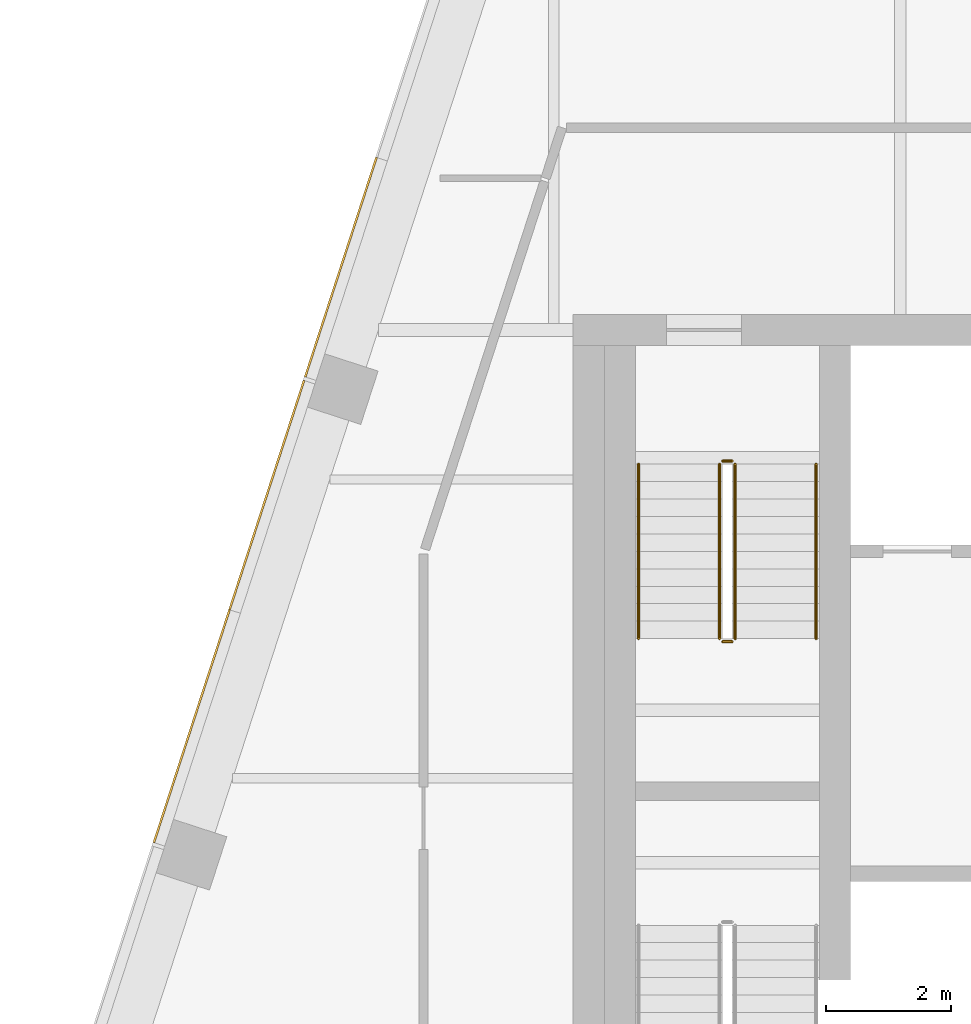
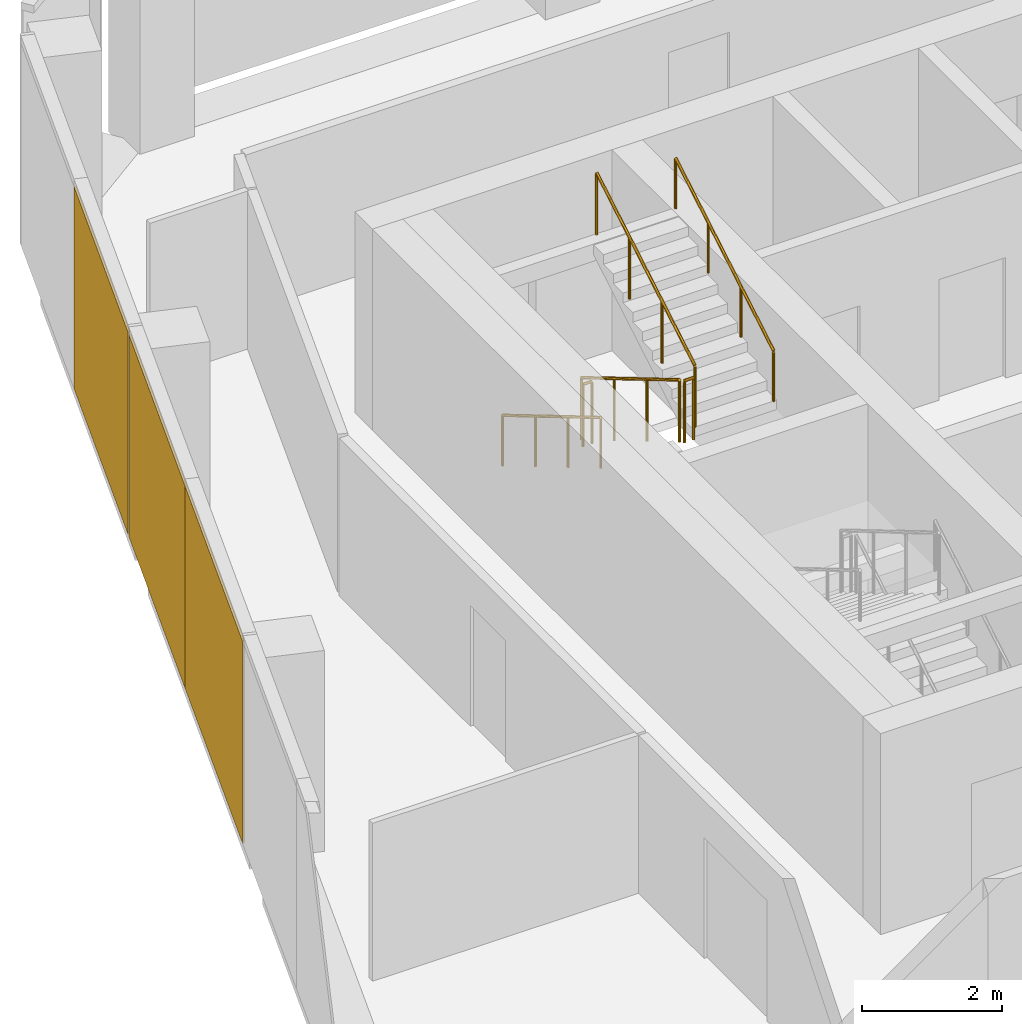
# One storey, part 14 of 15: 6 railings, 3 coverings, 1 element without a shape of its own.
"""IFC4 building model written with IfcOpenShell, lengths in metres."""

from ifc_helpers import new_model, si_unit, direction, frame, origin, origin_2d, place, context, subcontext, project, spatial, rectangle, circle, extrude, material, layer, layer_set, type_object, element, aggregate, save


model = new_model("IFC4")

# Units and contexts
model_context = context("Model", 3, precision=1e-05, world=origin(), true_north=direction((0.0, 1.0)))
body_context = subcontext(model_context, "Body", "Model", "MODEL_VIEW")
ifc_project = project(units=[si_unit("LENGTHUNIT", "METRE"), si_unit("AREAUNIT", "SQUARE_METRE"), si_unit("VOLUMEUNIT", "CUBIC_METRE"), si_unit("PLANEANGLEUNIT", "RADIAN"), si_unit("MASSUNIT", "GRAM", prefix="KILO")], contexts=[model_context])

# Site, building, storey
site_placement = place(None, origin())
site = spatial("IfcSite", under=ifc_project, at=site_placement, CompositionType="ELEMENT")
building_placement = place(site_placement, origin())
building = spatial("IfcBuilding", under=site, at=building_placement, Name="Isthmus Gate Tower", CompositionType="ELEMENT")
storey_placement = place(building_placement, frame((0.0, 0.0, 268.25)))
storey = spatial("IfcBuildingStorey", under=building, at=storey_placement, Name="L68", CompositionType="ELEMENT", Elevation=268.25)

# Curtain wall, coverings
ifc_material_1 = material(Name="Aluminium, pale champagne anodised", Category="aluminium")
ifc_layer_1 = layer(ifc_material_1, 0.199951171875)
ifc_layer_set_1 = layer_set([ifc_layer_1], Name="CW-1 UNITISED CURTAIN WALL 200 DEEP")
curtain_wall_type = type_object("IfcCurtainWallType", Name="CW-1 UNITISED CURTAIN WALL 200 DEEP", PredefinedType="NOTDEFINED", material=ifc_layer_set_1)
curtain_wall_placement = place(storey_placement, origin())
curtain_wall = element("IfcCurtainWall", 1, at=curtain_wall_placement, inside=storey, type_object=curtain_wall_type, Name="CW-1 NW L68", PredefinedType="NOTDEFINED")
ifc_material_2 = material(Name="Aluminium composite panel, pale champagne anodised", Category="aluminium")
ifc_layer_2 = layer(ifc_material_2, 0.031982421875)
ifc_layer_set_2 = layer_set([ifc_layer_2], Name="CW-1 PALE METAL PANEL 32")
covering_type = type_object("IfcCoveringType", Name="CW-1 PALE METAL PANEL 32", PredefinedType="CLADDING", material=ifc_layer_set_2)
covering_1_placement = place(storey_placement, frame((-18.727783203125, 15.760498046875, 0.0), z_axis=(0.0, 0.0, 1.0), x_axis=(-0.309016994375, -0.951056516295, 0.0)))
covering_1 = element("IfcCovering", 2, at=covering_1_placement, type_object=covering_type, Name="CW-1 pale metal panel", PredefinedType="CLADDING", context=body_context, shape_type="SweptSolid", body=[
    extrude(rectangle(XDim=3.703369140625, YDim=0.031982421875, at=origin_2d()), origin(), (0.0, 0.0, 1.0), 3.52001953125),
])
covering_2_placement = place(storey_placement, frame((-19.916259765625, 12.10302734375, 0.0), z_axis=(0.0, 0.0, 1.0), x_axis=(-0.309016994375, -0.951056516295, 0.0)))
covering_2 = element("IfcCovering", 3, at=covering_2_placement, type_object=covering_type, Name="CW-1 pale metal panel", PredefinedType="CLADDING", context=body_context, shape_type="SweptSolid", body=[
    extrude(rectangle(XDim=3.868408203125, YDim=0.031982421875, at=origin_2d()), origin(), (0.0, 0.0, 1.0), 3.52001953125),
])
covering_3_placement = place(storey_placement, frame((-21.120849609375, 8.395263671875, 0.0), z_axis=(0.0, 0.0, 1.0), x_axis=(-0.309016994375, -0.951056516295, 0.0)))
covering_3 = element("IfcCovering", 4, at=covering_3_placement, type_object=covering_type, Name="CW-1 pale metal panel", PredefinedType="CLADDING", context=body_context, shape_type="SweptSolid", body=[
    extrude(rectangle(XDim=3.928466796875, YDim=0.031982421875, at=origin_2d()), origin(), (0.0, 0.0, 1.0), 3.52001953125),
])
aggregate(curtain_wall, [covering_1, covering_2, covering_3])

# Railings
ifc_material_3 = material(Name="Stainless steel balustrade", Category="steel")
railing_type_1 = type_object("IfcRailingType", Name="STAIR GUARD 1100", PredefinedType="GUARDRAIL", material=ifc_material_3)
railing_1_placement = place(storey_placement, frame((-12.64990234375, 12.60009765625, 0.166015625)))
element("IfcRailing", 5, at=railing_1_placement, inside=storey, type_object=railing_type_1, Name="L68 ST1 stair guard 1", PredefinedType="GUARDRAIL", context=body_context, shape_type="SweptSolid", body=[
    extrude(circle(Radius=0.02392578125, at=origin_2d()), frame((0.0, 0.0, 1.076171875), z_axis=(0.0, -0.860339051648, 0.50972219513), x_axis=(1.0, 0.0, 0.0)), (0.0, 0.0, 1.0), 3.254638671875),
    extrude(circle(Radius=0.02099609375, at=origin_2d()), origin(), (0.0, 0.0, 1.0), 1.052001953125),
    extrude(circle(Radius=0.02099609375, at=origin_2d()), frame((0.0, -0.933349609375, 0.552978515625)), (0.0, 0.0, 1.0), 1.052001953125),
    extrude(circle(Radius=0.02099609375, at=origin_2d()), frame((0.0, -1.86669921875, 1.10595703125)), (0.0, 0.0, 1.0), 1.052001953125),
    extrude(circle(Radius=0.02099609375, at=origin_2d()), frame((0.0, -2.800048828125, 1.658935546875)), (0.0, 0.0, 1.0), 1.052001953125),
])
railing_2_placement = place(storey_placement, frame((-12.60009765625, 9.75, 1.824951171875)))
element("IfcRailing", 6, at=railing_2_placement, inside=storey, type_object=railing_type_1, Name="L68 ST1 stair guard 2", PredefinedType="GUARDRAIL", context=body_context, shape_type="SweptSolid", body=[
    extrude(circle(Radius=0.02392578125, at=origin_2d()), frame((0.0, 0.0, 1.076171875), z_axis=(1.0, 0.0, 0.0), x_axis=(0.0, 1.0, 0.0)), (0.0, 0.0, 1.0), 0.150146484375),
    extrude(circle(Radius=0.02099609375, at=origin_2d()), origin(), (0.0, 0.0, 1.0), 1.052001953125),
    extrude(circle(Radius=0.02099609375, at=origin_2d()), frame((0.150146484375, 0.0, 0.0)), (0.0, 0.0, 1.0), 1.052001953125),
])
railing_3_placement = place(storey_placement, frame((-12.39990234375, 9.800048828125, 1.990966796875)))
element("IfcRailing", 7, at=railing_3_placement, inside=storey, type_object=railing_type_1, Name="L68 ST1 stair guard 3", PredefinedType="GUARDRAIL", context=body_context, shape_type="SweptSolid", body=[
    extrude(circle(Radius=0.02392578125, at=origin_2d()), frame((0.0, 0.0, 1.076171875), z_axis=(0.0, 0.860339051648, 0.50972219513), x_axis=(-1.0, 0.0, 0.0)), (0.0, 0.0, 1.0), 3.254638671875),
    extrude(circle(Radius=0.02099609375, at=origin_2d()), origin(), (0.0, 0.0, 1.0), 1.052001953125),
    extrude(circle(Radius=0.02099609375, at=origin_2d()), frame((0.0, 0.933349609375, 0.552978515625)), (0.0, 0.0, 1.0), 1.052001953125),
    extrude(circle(Radius=0.02099609375, at=origin_2d()), frame((0.0, 1.86669921875, 1.10595703125)), (0.0, 0.0, 1.0), 1.052001953125),
    extrude(circle(Radius=0.02099609375, at=origin_2d()), frame((0.0, 2.800048828125, 1.658935546875)), (0.0, 0.0, 1.0), 1.052001953125),
])
railing_4_placement = place(storey_placement, frame((-12.60009765625, 12.64990234375, 0.0)))
element("IfcRailing", 8, at=railing_4_placement, inside=storey, type_object=railing_type_1, Name="L68 ST1 stair guard 4", PredefinedType="GUARDRAIL", context=body_context, shape_type="SweptSolid", body=[
    extrude(circle(Radius=0.02392578125, at=origin_2d()), frame((0.0, 0.0, 1.076171875), z_axis=(1.0, 0.0, 0.0), x_axis=(0.0, 1.0, 0.0)), (0.0, 0.0, 1.0), 0.150146484375),
    extrude(circle(Radius=0.02099609375, at=origin_2d()), origin(), (0.0, 0.0, 1.0), 1.052001953125),
    extrude(circle(Radius=0.02099609375, at=origin_2d()), frame((0.150146484375, 0.0, 0.0)), (0.0, 0.0, 1.0), 1.052001953125),
])
ifc_material_4 = material(Name="Stainless steel handrail", Category="steel")
railing_type_2 = type_object("IfcRailingType", Name="STAIR HANDRAIL 900", PredefinedType="HANDRAIL", material=ifc_material_4)
railing_5_placement = place(storey_placement, frame((-13.949951171875, 12.60009765625, 0.166015625)))
element("IfcRailing", 9, at=railing_5_placement, inside=storey, type_object=railing_type_2, Name="L68 ST1 stair handrail 1", PredefinedType="HANDRAIL", context=body_context, shape_type="SweptSolid", body=[
    extrude(circle(Radius=0.02392578125, at=origin_2d()), frame((0.0, 0.0, 0.8759765625), z_axis=(0.0, -0.860339051648, 0.50972219513), x_axis=(1.0, 0.0, 0.0)), (0.0, 0.0, 1.0), 3.254638671875),
    extrude(circle(Radius=0.02099609375, at=origin_2d()), origin(), (0.0, 0.0, 1.0), 0.851806640625),
    extrude(circle(Radius=0.02099609375, at=origin_2d()), frame((0.0, -0.933349609375, 0.552978515625)), (0.0, 0.0, 1.0), 0.851806640625),
    extrude(circle(Radius=0.02099609375, at=origin_2d()), frame((0.0, -1.86669921875, 1.10595703125)), (0.0, 0.0, 1.0), 0.851806640625),
    extrude(circle(Radius=0.02099609375, at=origin_2d()), frame((0.0, -2.800048828125, 1.658935546875)), (0.0, 0.0, 1.0), 0.851806640625),
])
railing_6_placement = place(storey_placement, frame((-11.10009765625, 9.800048828125, 1.990966796875)))
element("IfcRailing", 10, at=railing_6_placement, inside=storey, type_object=railing_type_2, Name="L68 ST1 stair handrail 2", PredefinedType="HANDRAIL", context=body_context, shape_type="SweptSolid", body=[
    extrude(circle(Radius=0.02392578125, at=origin_2d()), frame((0.0, 0.0, 0.8759765625), z_axis=(0.0, 0.860339051648, 0.50972219513), x_axis=(-1.0, 0.0, 0.0)), (0.0, 0.0, 1.0), 3.254638671875),
    extrude(circle(Radius=0.02099609375, at=origin_2d()), origin(), (0.0, 0.0, 1.0), 0.851806640625),
    extrude(circle(Radius=0.02099609375, at=origin_2d()), frame((0.0, 0.933349609375, 0.552978515625)), (0.0, 0.0, 1.0), 0.851806640625),
    extrude(circle(Radius=0.02099609375, at=origin_2d()), frame((0.0, 1.86669921875, 1.10595703125)), (0.0, 0.0, 1.0), 0.851806640625),
    extrude(circle(Radius=0.02099609375, at=origin_2d()), frame((0.0, 2.800048828125, 1.658935546875)), (0.0, 0.0, 1.0), 0.851806640625),
])

save(model, "model.ifc")
